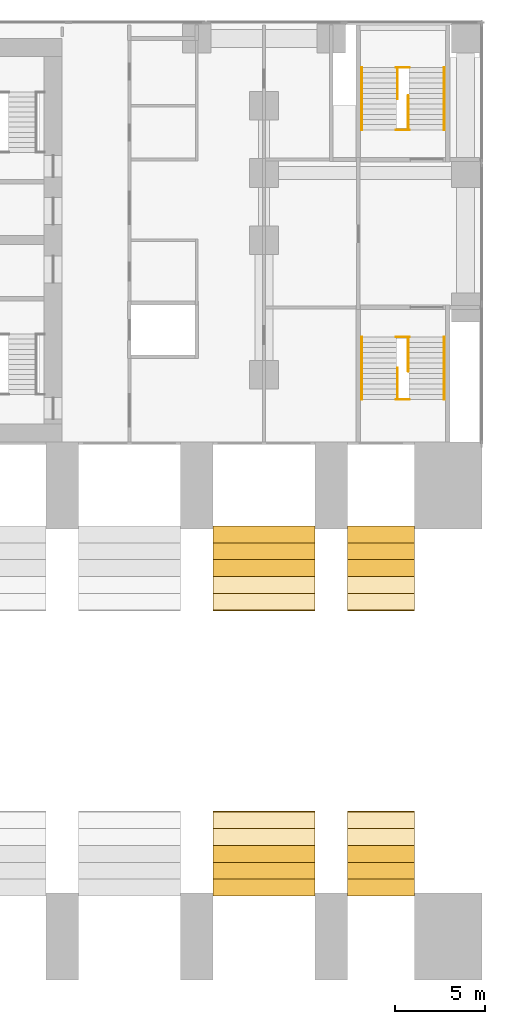
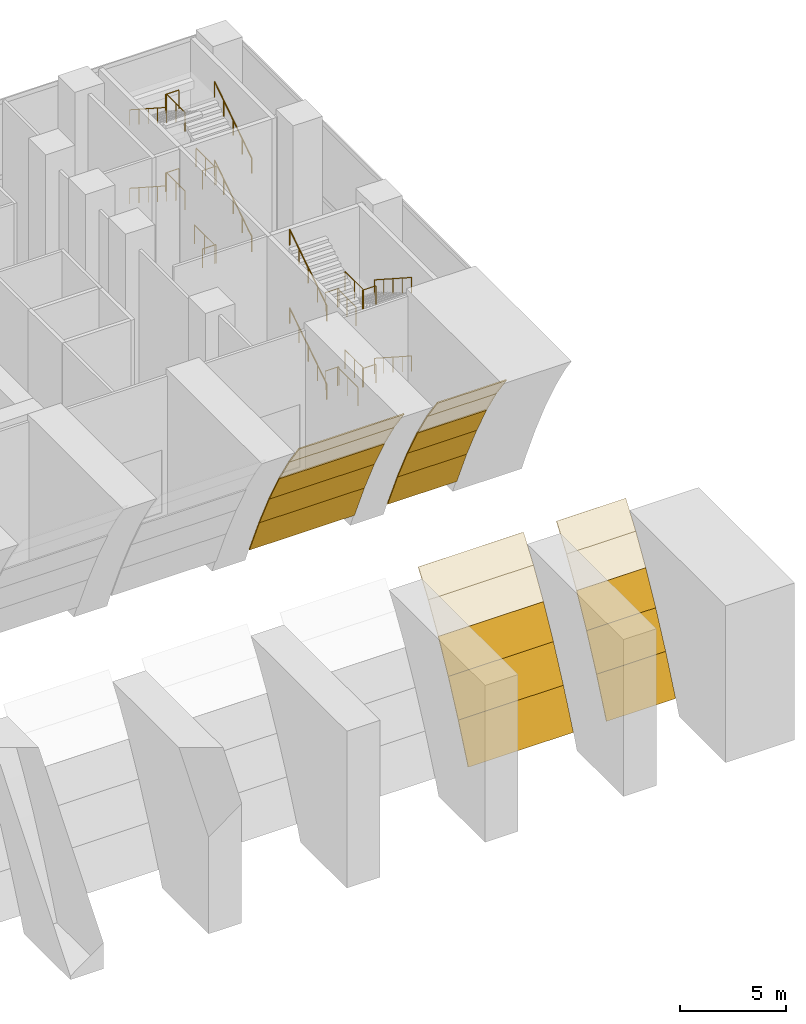
# One storey, part 14 of 14: 24 railings, 20 coverings.
"""IFC4 building model written with IfcOpenShell, lengths in metres."""

from ifc_helpers import new_model, si_unit, direction, frame, origin, origin_2d, place, context, subcontext, project, spatial, polyline, circle, outline, extrude, material, layer, layer_set, type_object, element, save


model = new_model("IFC4")

# Units and contexts
model_context = context("Model", 3, precision=1e-05, world=origin(), true_north=direction((0.0, 1.0)))
body_context = subcontext(model_context, "Body", "Model", "MODEL_VIEW")
ifc_project = project(units=[si_unit("LENGTHUNIT", "METRE"), si_unit("AREAUNIT", "SQUARE_METRE"), si_unit("VOLUMEUNIT", "CUBIC_METRE"), si_unit("PLANEANGLEUNIT", "RADIAN"), si_unit("MASSUNIT", "GRAM", prefix="KILO")], contexts=[model_context])

# Site, building, storey
site_placement = place(None, origin())
site = spatial("IfcSite", under=ifc_project, at=site_placement, CompositionType="ELEMENT")
building_placement = place(site_placement, origin())
building = spatial("IfcBuilding", under=site, at=building_placement, Name="Pilkhan Gate Tower", CompositionType="ELEMENT")
storey_placement = place(building_placement, frame((0.0, 0.0, 7.5)))
storey = spatial("IfcBuildingStorey", under=building, at=storey_placement, Name="L01", CompositionType="ELEMENT", Elevation=7.5)

# Coverings
ifc_material_1 = material(Name="Concrete C40/50 precast", Category="concrete")
ifc_layer = layer(ifc_material_1, 0.06005859375)
ifc_layer_set = layer_set([ifc_layer], Name="Arch soffit panel ARC")
covering_type = type_object("IfcCoveringType", Name="Arch soffit panel ARC", PredefinedType="CLADDING", material=ifc_layer_set)
covering_1_placement = place(storey_placement, frame((98.39990234375, 45.9375, 0.83984375), z_axis=(0.0, -0.915717290087, 0.401823150946), x_axis=(1.0, 0.0, 0.0)))
element("IfcCovering", 1, at=covering_1_placement, inside=storey, type_object=covering_type, Name="Arch soffit panel ARC-9.2", PredefinedType="CLADDING", context=body_context, shape_type="SweptSolid", body=[
    extrude(outline(polyline([(0.0, 0.0), (5.7001953125, 0.0), (5.7001953125, 2.333115943647906), (0.0, 2.333115943647906), (0.0, 0.0)])), origin(), (0.0, 0.0, -1.0), 0.06005859375),
])
covering_2_placement = place(storey_placement, frame((98.39990234375, 46.875, 2.976318359375), z_axis=(0.0, -0.899770845006, 0.436362723519), x_axis=(1.0, 0.0, 0.0)))
element("IfcCovering", 2, at=covering_2_placement, inside=storey, type_object=covering_type, Name="Arch soffit panel ARC-9.3", PredefinedType="CLADDING", context=body_context, shape_type="SweptSolid", body=[
    extrude(outline(polyline([(0.0, 0.0), (5.7001953125, 0.0), (5.7001953125, 2.1484419944022592), (0.0, 2.1484419944022592), (0.0, 0.0)])), origin(), (0.0, 0.0, -1.0), 0.06005859375),
])
covering_3_placement = place(storey_placement, frame((98.39990234375, 47.8125, 4.909423828125), z_axis=(0.0, -0.879144666887, 0.476554986003), x_axis=(1.0, 0.0, 0.0)))
element("IfcCovering", 3, at=covering_3_placement, inside=storey, type_object=covering_type, Name="Arch soffit panel ARC-9.4", PredefinedType="CLADDING", context=body_context, shape_type="SweptSolid", body=[
    extrude(outline(polyline([(0.0, 0.0), (5.7001953125, 0.0), (5.7001953125, 1.967244132440998), (0.0, 1.967244132440998), (0.0, 0.0)])), origin(), (0.0, 0.0, -1.0), 0.06005859375),
])
covering_4_placement = place(storey_placement, frame((98.39990234375, 48.75, 6.638916015625), z_axis=(0.0, -0.852069906961, 0.523428002357), x_axis=(1.0, 0.0, 0.0)))
element("IfcCovering", 4, at=covering_4_placement, inside=storey, type_object=covering_type, Name="Arch soffit panel ARC-9.5", PredefinedType="CLADDING", context=body_context, shape_type="SweptSolid", body=[
    extrude(outline(polyline([(0.0, 0.0), (5.7001953125, 0.0), (5.7001953125, 1.7910772747715364), (0.0, 1.7910772747715364), (0.0, 0.0)])), origin(), (0.0, 0.0, -1.0), 0.06005859375),
])
for number, where, z_axis, x_axis, name in (
    (5, (98.39990234375, 49.6875, 8.1650390625), (0.0, -0.81581427996, 0.578313980994), (1.0, 0.0, 0.0), "Arch soffit panel ARC-9.6"),
    (6, (98.39990234375, 61.875, 9.487548828125), (0.0, 0.81581427996, 0.578313980994), (1.0, 0.0, 0.0), "Arch soffit panel ARC-9.19"),
):
    element("IfcCovering", number, at=place(storey_placement, frame(where, z_axis=z_axis, x_axis=x_axis)), inside=storey, type_object=covering_type, Name=name, PredefinedType="CLADDING", context=body_context, shape_type="SweptSolid", body=[
        extrude(outline(polyline([(0.0, 0.0), (5.7001953125, 0.0), (5.7001953125, 1.6210917093654795), (0.0, 1.6210917093654795), (0.0, 0.0)])), origin(), (0.0, 0.0, -1.0), 0.06005859375),
    ])
covering_5_placement = place(storey_placement, frame((98.39990234375, 62.8125, 8.1650390625), z_axis=(0.0, 0.852069906961, 0.523428002357), x_axis=(1.0, 0.0, 0.0)))
element("IfcCovering", 7, at=covering_5_placement, inside=storey, type_object=covering_type, Name="Arch soffit panel ARC-9.20", PredefinedType="CLADDING", context=body_context, shape_type="SweptSolid", body=[
    extrude(outline(polyline([(0.0, 0.0), (5.7001953125, 0.0), (5.7001953125, 1.7910772747715364), (0.0, 1.7910772747715364), (0.0, 0.0)])), origin(), (0.0, 0.0, -1.0), 0.06005859375),
])
covering_6_placement = place(storey_placement, frame((98.39990234375, 63.75, 6.638916015625), z_axis=(0.0, 0.879144666887, 0.476554986003), x_axis=(1.0, 0.0, 0.0)))
element("IfcCovering", 8, at=covering_6_placement, inside=storey, type_object=covering_type, Name="Arch soffit panel ARC-9.21", PredefinedType="CLADDING", context=body_context, shape_type="SweptSolid", body=[
    extrude(outline(polyline([(0.0, 0.0), (5.7001953125, 0.0), (5.7001953125, 1.967244132440998), (0.0, 1.967244132440998), (0.0, 0.0)])), origin(), (0.0, 0.0, -1.0), 0.06005859375),
])
covering_7_placement = place(storey_placement, frame((98.39990234375, 64.6875, 4.909423828125), z_axis=(0.0, 0.899770845006, 0.436362723519), x_axis=(1.0, 0.0, 0.0)))
element("IfcCovering", 9, at=covering_7_placement, inside=storey, type_object=covering_type, Name="Arch soffit panel ARC-9.22", PredefinedType="CLADDING", context=body_context, shape_type="SweptSolid", body=[
    extrude(outline(polyline([(0.0, 0.0), (5.7001953125, 0.0), (5.7001953125, 2.1484419944022592), (0.0, 2.1484419944022592), (0.0, 0.0)])), origin(), (0.0, 0.0, -1.0), 0.06005859375),
])
covering_8_placement = place(storey_placement, frame((98.39990234375, 65.625, 2.976318359375), z_axis=(0.0, 0.915717290087, 0.401823150946), x_axis=(1.0, 0.0, 0.0)))
element("IfcCovering", 10, at=covering_8_placement, inside=storey, type_object=covering_type, Name="Arch soffit panel ARC-9.23", PredefinedType="CLADDING", context=body_context, shape_type="SweptSolid", body=[
    extrude(outline(polyline([(0.0, 0.0), (5.7001953125, 0.0), (5.7001953125, 2.333115943647906), (0.0, 2.333115943647906), (0.0, 0.0)])), origin(), (0.0, 0.0, -1.0), 0.06005859375),
])
covering_9_placement = place(storey_placement, frame((105.89990234375, 45.9375, 0.83984375), z_axis=(0.0, -0.915717290087, 0.401823150946), x_axis=(1.0, 0.0, 0.0)))
element("IfcCovering", 11, at=covering_9_placement, inside=storey, type_object=covering_type, Name="Arch soffit panel ARC-10.2", PredefinedType="CLADDING", context=body_context, shape_type="SweptSolid", body=[
    extrude(outline(polyline([(0.0, 0.0), (3.75, 0.0), (3.75, 2.333115943647906), (0.0, 2.333115943647906), (0.0, 0.0)])), origin(), (0.0, 0.0, -1.0), 0.06005859375),
])
covering_10_placement = place(storey_placement, frame((105.89990234375, 46.875, 2.976318359375), z_axis=(0.0, -0.899770845006, 0.436362723519), x_axis=(1.0, 0.0, 0.0)))
element("IfcCovering", 12, at=covering_10_placement, inside=storey, type_object=covering_type, Name="Arch soffit panel ARC-10.3", PredefinedType="CLADDING", context=body_context, shape_type="SweptSolid", body=[
    extrude(outline(polyline([(0.0, 0.0), (3.75, 0.0), (3.75, 2.1484419944022592), (0.0, 2.1484419944022592), (0.0, 0.0)])), origin(), (0.0, 0.0, -1.0), 0.06005859375),
])
covering_11_placement = place(storey_placement, frame((105.89990234375, 47.8125, 4.909423828125), z_axis=(0.0, -0.879144666887, 0.476554986003), x_axis=(1.0, 0.0, 0.0)))
element("IfcCovering", 13, at=covering_11_placement, inside=storey, type_object=covering_type, Name="Arch soffit panel ARC-10.4", PredefinedType="CLADDING", context=body_context, shape_type="SweptSolid", body=[
    extrude(outline(polyline([(0.0, 0.0), (3.75, 0.0), (3.75, 1.967244132440998), (0.0, 1.967244132440998), (0.0, 0.0)])), origin(), (0.0, 0.0, -1.0), 0.06005859375),
])
covering_12_placement = place(storey_placement, frame((105.89990234375, 48.75, 6.638916015625), z_axis=(0.0, -0.852069906961, 0.523428002357), x_axis=(1.0, 0.0, 0.0)))
element("IfcCovering", 14, at=covering_12_placement, inside=storey, type_object=covering_type, Name="Arch soffit panel ARC-10.5", PredefinedType="CLADDING", context=body_context, shape_type="SweptSolid", body=[
    extrude(outline(polyline([(0.0, 0.0), (3.75, 0.0), (3.75, 1.7910772747715364), (0.0, 1.7910772747715364), (0.0, 0.0)])), origin(), (0.0, 0.0, -1.0), 0.06005859375),
])
for number, where, z_axis, x_axis, name in (
    (15, (105.89990234375, 49.6875, 8.1650390625), (0.0, -0.81581427996, 0.578313980994), (1.0, 0.0, 0.0), "Arch soffit panel ARC-10.6"),
    (16, (105.89990234375, 61.875, 9.487548828125), (0.0, 0.81581427996, 0.578313980994), (1.0, 0.0, 0.0), "Arch soffit panel ARC-10.19"),
):
    element("IfcCovering", number, at=place(storey_placement, frame(where, z_axis=z_axis, x_axis=x_axis)), inside=storey, type_object=covering_type, Name=name, PredefinedType="CLADDING", context=body_context, shape_type="SweptSolid", body=[
        extrude(outline(polyline([(0.0, 0.0), (3.75, 0.0), (3.75, 1.6210917093654795), (0.0, 1.6210917093654795), (0.0, 0.0)])), origin(), (0.0, 0.0, -1.0), 0.06005859375),
    ])
covering_13_placement = place(storey_placement, frame((105.89990234375, 62.8125, 8.1650390625), z_axis=(0.0, 0.852069906961, 0.523428002357), x_axis=(1.0, 0.0, 0.0)))
element("IfcCovering", 17, at=covering_13_placement, inside=storey, type_object=covering_type, Name="Arch soffit panel ARC-10.20", PredefinedType="CLADDING", context=body_context, shape_type="SweptSolid", body=[
    extrude(outline(polyline([(0.0, 0.0), (3.75, 0.0), (3.75, 1.7910772747715364), (0.0, 1.7910772747715364), (0.0, 0.0)])), origin(), (0.0, 0.0, -1.0), 0.06005859375),
])
covering_14_placement = place(storey_placement, frame((105.89990234375, 63.75, 6.638916015625), z_axis=(0.0, 0.879144666887, 0.476554986003), x_axis=(1.0, 0.0, 0.0)))
element("IfcCovering", 18, at=covering_14_placement, inside=storey, type_object=covering_type, Name="Arch soffit panel ARC-10.21", PredefinedType="CLADDING", context=body_context, shape_type="SweptSolid", body=[
    extrude(outline(polyline([(0.0, 0.0), (3.75, 0.0), (3.75, 1.967244132440998), (0.0, 1.967244132440998), (0.0, 0.0)])), origin(), (0.0, 0.0, -1.0), 0.06005859375),
])
covering_15_placement = place(storey_placement, frame((105.89990234375, 64.6875, 4.909423828125), z_axis=(0.0, 0.899770845006, 0.436362723519), x_axis=(1.0, 0.0, 0.0)))
element("IfcCovering", 19, at=covering_15_placement, inside=storey, type_object=covering_type, Name="Arch soffit panel ARC-10.22", PredefinedType="CLADDING", context=body_context, shape_type="SweptSolid", body=[
    extrude(outline(polyline([(0.0, 0.0), (3.75, 0.0), (3.75, 2.1484419944022592), (0.0, 2.1484419944022592), (0.0, 0.0)])), origin(), (0.0, 0.0, -1.0), 0.06005859375),
])
covering_16_placement = place(storey_placement, frame((105.89990234375, 65.625, 2.976318359375), z_axis=(0.0, 0.915717290087, 0.401823150946), x_axis=(1.0, 0.0, 0.0)))
element("IfcCovering", 20, at=covering_16_placement, inside=storey, type_object=covering_type, Name="Arch soffit panel ARC-10.23", PredefinedType="CLADDING", context=body_context, shape_type="SweptSolid", body=[
    extrude(outline(polyline([(0.0, 0.0), (3.75, 0.0), (3.75, 2.333115943647906), (0.0, 2.333115943647906), (0.0, 0.0)])), origin(), (0.0, 0.0, -1.0), 0.06005859375),
])

# Railings
ifc_material_2 = material(Name="Black powder-coated steel tube", Category="steel")
railing_type_1 = type_object("IfcRailingType", Name="Stair handrail HR1", PredefinedType="HANDRAIL", material=ifc_material_2)
railing_1_placement = place(storey_placement, frame((111.300048828125, 88.64990234375, 0.0)))
element("IfcRailing", 21, at=railing_1_placement, inside=storey, type_object=railing_type_1, Name="Stair PS2 handrail L01", PredefinedType="HANDRAIL", context=body_context, shape_type="SweptSolid", body=[
    extrude(circle(Radius=0.02392578125, at=origin_2d()), frame((0.0, 0.0, 0.8759765625), z_axis=(0.0, 0.839762940478, 0.542953224319), x_axis=(-1.0, 0.0, 0.0)), (0.0, 0.0, 1.0), 4.14404296875),
    extrude(circle(Radius=0.02099609375, at=origin_2d()), origin(), (0.0, 0.0, 1.0), 0.851806640625),
    extrude(circle(Radius=0.02099609375, at=origin_2d()), frame((0.0, 0.8701171875, 0.5625)), (0.0, 0.0, 1.0), 0.851806640625),
    extrude(circle(Radius=0.02099609375, at=origin_2d()), frame((0.0, 1.739990234375, 1.125)), (0.0, 0.0, 1.0), 0.851806640625),
    extrude(circle(Radius=0.02099609375, at=origin_2d()), frame((0.0, 2.60986328125, 1.6875)), (0.0, 0.0, 1.0), 0.851806640625),
    extrude(circle(Radius=0.02099609375, at=origin_2d()), frame((0.0, 3.47998046875, 2.25)), (0.0, 0.0, 1.0), 0.851806640625),
])
railing_2_placement = place(storey_placement, frame((106.699951171875, 92.1298828125, 2.25)))
element("IfcRailing", 22, at=railing_2_placement, inside=storey, type_object=railing_type_1, Name="Stair PS2 handrail L01", PredefinedType="HANDRAIL", context=body_context, shape_type="SweptSolid", body=[
    extrude(circle(Radius=0.02392578125, at=origin_2d()), frame((0.0, 0.0, 0.8759765625), z_axis=(0.0, -0.839762940478, 0.542953224319), x_axis=(1.0, 0.0, 0.0)), (0.0, 0.0, 1.0), 4.14404296875),
    extrude(circle(Radius=0.02099609375, at=origin_2d()), origin(), (0.0, 0.0, 1.0), 0.851806640625),
    extrude(circle(Radius=0.02099609375, at=origin_2d()), frame((0.0, -0.8701171875, 0.5625)), (0.0, 0.0, 1.0), 0.851806640625),
    extrude(circle(Radius=0.02099609375, at=origin_2d()), frame((0.0, -1.739990234375, 1.125)), (0.0, 0.0, 1.0), 0.851806640625),
    extrude(circle(Radius=0.02099609375, at=origin_2d()), frame((0.0, -2.60986328125, 1.6875)), (0.0, 0.0, 1.0), 0.851806640625),
    extrude(circle(Radius=0.02099609375, at=origin_2d()), frame((0.0, -3.47998046875, 2.25)), (0.0, 0.0, 1.0), 0.851806640625),
])
railing_3_placement = place(storey_placement, frame((111.300048828125, 88.64990234375, 4.5)))
element("IfcRailing", 23, at=railing_3_placement, inside=storey, type_object=railing_type_1, Name="Stair PS2 handrail L01", PredefinedType="HANDRAIL", context=body_context, shape_type="SweptSolid", body=[
    extrude(circle(Radius=0.02392578125, at=origin_2d()), frame((0.0, 0.0, 0.8759765625), z_axis=(0.0, 0.839762940478, 0.542953224319), x_axis=(-1.0, 0.0, 0.0)), (0.0, 0.0, 1.0), 4.14404296875),
    extrude(circle(Radius=0.02099609375, at=origin_2d()), origin(), (0.0, 0.0, 1.0), 0.851806640625),
    extrude(circle(Radius=0.02099609375, at=origin_2d()), frame((0.0, 0.8701171875, 0.5625)), (0.0, 0.0, 1.0), 0.851806640625),
    extrude(circle(Radius=0.02099609375, at=origin_2d()), frame((0.0, 1.739990234375, 1.125)), (0.0, 0.0, 1.0), 0.851806640625),
    extrude(circle(Radius=0.02099609375, at=origin_2d()), frame((0.0, 2.60986328125, 1.6875)), (0.0, 0.0, 1.0), 0.851806640625),
    extrude(circle(Radius=0.02099609375, at=origin_2d()), frame((0.0, 3.47998046875, 2.25)), (0.0, 0.0, 1.0), 0.851806640625),
])
for number, where, name in (
    (24, (106.699951171875, 92.1298828125, 6.75), "Stair PS2 handrail L01"),
    (25, (111.300048828125, 77.10009765625, 0.0), "Stair PS4 handrail L01"),
):
    element("IfcRailing", number, at=place(storey_placement, frame(where)), inside=storey, type_object=railing_type_1, Name=name, PredefinedType="HANDRAIL", context=body_context, shape_type="SweptSolid", body=[
        extrude(circle(Radius=0.02392578125, at=origin_2d()), frame((0.0, 0.0, 0.8759765625), z_axis=(0.0, -0.839762940478, 0.542953224319), x_axis=(1.0, 0.0, 0.0)), (0.0, 0.0, 1.0), 4.14404296875),
        extrude(circle(Radius=0.02099609375, at=origin_2d()), origin(), (0.0, 0.0, 1.0), 0.851806640625),
        extrude(circle(Radius=0.02099609375, at=origin_2d()), frame((0.0, -0.8701171875, 0.5625)), (0.0, 0.0, 1.0), 0.851806640625),
        extrude(circle(Radius=0.02099609375, at=origin_2d()), frame((0.0, -1.739990234375, 1.125)), (0.0, 0.0, 1.0), 0.851806640625),
        extrude(circle(Radius=0.02099609375, at=origin_2d()), frame((0.0, -2.60986328125, 1.6875)), (0.0, 0.0, 1.0), 0.851806640625),
        extrude(circle(Radius=0.02099609375, at=origin_2d()), frame((0.0, -3.47998046875, 2.25)), (0.0, 0.0, 1.0), 0.851806640625),
    ])
railing_4_placement = place(storey_placement, frame((106.699951171875, 73.6201171875, 2.25)))
element("IfcRailing", 26, at=railing_4_placement, inside=storey, type_object=railing_type_1, Name="Stair PS4 handrail L01", PredefinedType="HANDRAIL", context=body_context, shape_type="SweptSolid", body=[
    extrude(circle(Radius=0.02392578125, at=origin_2d()), frame((0.0, 0.0, 0.8759765625), z_axis=(0.0, 0.839762940478, 0.542953224319), x_axis=(-1.0, 0.0, 0.0)), (0.0, 0.0, 1.0), 4.14404296875),
    extrude(circle(Radius=0.02099609375, at=origin_2d()), origin(), (0.0, 0.0, 1.0), 0.851806640625),
    extrude(circle(Radius=0.02099609375, at=origin_2d()), frame((0.0, 0.8701171875, 0.5625)), (0.0, 0.0, 1.0), 0.851806640625),
    extrude(circle(Radius=0.02099609375, at=origin_2d()), frame((0.0, 1.739990234375, 1.125)), (0.0, 0.0, 1.0), 0.851806640625),
    extrude(circle(Radius=0.02099609375, at=origin_2d()), frame((0.0, 2.60986328125, 1.6875)), (0.0, 0.0, 1.0), 0.851806640625),
    extrude(circle(Radius=0.02099609375, at=origin_2d()), frame((0.0, 3.47998046875, 2.25)), (0.0, 0.0, 1.0), 0.851806640625),
])
railing_5_placement = place(storey_placement, frame((111.300048828125, 77.10009765625, 4.5)))
element("IfcRailing", 27, at=railing_5_placement, inside=storey, type_object=railing_type_1, Name="Stair PS4 handrail L01", PredefinedType="HANDRAIL", context=body_context, shape_type="SweptSolid", body=[
    extrude(circle(Radius=0.02392578125, at=origin_2d()), frame((0.0, 0.0, 0.8759765625), z_axis=(0.0, -0.839762940478, 0.542953224319), x_axis=(1.0, 0.0, 0.0)), (0.0, 0.0, 1.0), 4.14404296875),
    extrude(circle(Radius=0.02099609375, at=origin_2d()), origin(), (0.0, 0.0, 1.0), 0.851806640625),
    extrude(circle(Radius=0.02099609375, at=origin_2d()), frame((0.0, -0.8701171875, 0.5625)), (0.0, 0.0, 1.0), 0.851806640625),
    extrude(circle(Radius=0.02099609375, at=origin_2d()), frame((0.0, -1.739990234375, 1.125)), (0.0, 0.0, 1.0), 0.851806640625),
    extrude(circle(Radius=0.02099609375, at=origin_2d()), frame((0.0, -2.60986328125, 1.6875)), (0.0, 0.0, 1.0), 0.851806640625),
    extrude(circle(Radius=0.02099609375, at=origin_2d()), frame((0.0, -3.47998046875, 2.25)), (0.0, 0.0, 1.0), 0.851806640625),
])
railing_6_placement = place(storey_placement, frame((106.699951171875, 73.6201171875, 6.75)))
element("IfcRailing", 28, at=railing_6_placement, inside=storey, type_object=railing_type_1, Name="Stair PS4 handrail L01", PredefinedType="HANDRAIL", context=body_context, shape_type="SweptSolid", body=[
    extrude(circle(Radius=0.02392578125, at=origin_2d()), frame((0.0, 0.0, 0.8759765625), z_axis=(0.0, 0.839762940478, 0.542953224319), x_axis=(-1.0, 0.0, 0.0)), (0.0, 0.0, 1.0), 4.14404296875),
    extrude(circle(Radius=0.02099609375, at=origin_2d()), origin(), (0.0, 0.0, 1.0), 0.851806640625),
    extrude(circle(Radius=0.02099609375, at=origin_2d()), frame((0.0, 0.8701171875, 0.5625)), (0.0, 0.0, 1.0), 0.851806640625),
    extrude(circle(Radius=0.02099609375, at=origin_2d()), frame((0.0, 1.739990234375, 1.125)), (0.0, 0.0, 1.0), 0.851806640625),
    extrude(circle(Radius=0.02099609375, at=origin_2d()), frame((0.0, 2.60986328125, 1.6875)), (0.0, 0.0, 1.0), 0.851806640625),
    extrude(circle(Radius=0.02099609375, at=origin_2d()), frame((0.0, 3.47998046875, 2.25)), (0.0, 0.0, 1.0), 0.851806640625),
])
ifc_material_3 = material(Name="Black powder-coated steel balusters", Category="steel")
railing_type_2 = type_object("IfcRailingType", Name="Stair well guard G3", PredefinedType="GUARDRAIL", material=ifc_material_3)
railing_7_placement = place(storey_placement, frame((109.3701171875, 88.64990234375, 0.0)))
element("IfcRailing", 29, at=railing_7_placement, inside=storey, type_object=railing_type_2, Name="Stair PS2 well guard L01", PredefinedType="GUARDRAIL", context=body_context, shape_type="SweptSolid", body=[
    extrude(circle(Radius=0.02392578125, at=origin_2d()), frame((0.0, 0.0, 1.076171875), z_axis=(-1.0, 0.0, 0.0), x_axis=(0.0, -1.0, 0.0)), (0.0, 0.0, 1.0), 0.740234375),
    extrude(circle(Radius=0.02099609375, at=origin_2d()), origin(), (0.0, 0.0, 1.0), 1.052001953125),
    extrude(circle(Radius=0.02099609375, at=origin_2d()), frame((-0.740234375, 0.0, 0.0)), (0.0, 0.0, 1.0), 1.052001953125),
])
railing_8_placement = place(storey_placement, frame((109.300048828125, 88.64990234375, 0.0)))
element("IfcRailing", 30, at=railing_8_placement, inside=storey, type_object=railing_type_2, Name="Stair PS2 well guard L01", PredefinedType="GUARDRAIL", context=body_context, shape_type="SweptSolid", body=[
    extrude(circle(Radius=0.02392578125, at=origin_2d()), frame((0.0, 0.0, 1.076171875), z_axis=(0.0, 1.0, 0.0), x_axis=(-1.0, 0.0, 0.0)), (0.0, 0.0, 1.0), 1.900146484375),
    extrude(circle(Radius=0.02099609375, at=origin_2d()), origin(), (0.0, 0.0, 1.0), 1.052001953125),
    extrude(circle(Radius=0.02099609375, at=origin_2d()), frame((0.0, 0.9501953125, 0.0)), (0.0, 0.0, 1.0), 1.052001953125),
    extrude(circle(Radius=0.02099609375, at=origin_2d()), frame((0.0, 1.900146484375, 0.0)), (0.0, 0.0, 1.0), 1.052001953125),
])
railing_9_placement = place(storey_placement, frame((109.3701171875, 92.1298828125, 2.25)))
element("IfcRailing", 31, at=railing_9_placement, inside=storey, type_object=railing_type_2, Name="Stair PS2 well guard L01", PredefinedType="GUARDRAIL", context=body_context, shape_type="SweptSolid", body=[
    extrude(circle(Radius=0.02392578125, at=origin_2d()), frame((0.0, 0.0, 1.076171875), z_axis=(-1.0, 0.0, 0.0), x_axis=(0.0, -1.0, 0.0)), (0.0, 0.0, 1.0), 0.740234375),
    extrude(circle(Radius=0.02099609375, at=origin_2d()), origin(), (0.0, 0.0, 1.0), 1.052001953125),
    extrude(circle(Radius=0.02099609375, at=origin_2d()), frame((-0.740234375, 0.0, 0.0)), (0.0, 0.0, 1.0), 1.052001953125),
])
railing_10_placement = place(storey_placement, frame((108.699951171875, 90.389892578125, 2.25)))
element("IfcRailing", 32, at=railing_10_placement, inside=storey, type_object=railing_type_2, Name="Stair PS2 well guard L01", PredefinedType="GUARDRAIL", context=body_context, shape_type="SweptSolid", body=[
    extrude(circle(Radius=0.02392578125, at=origin_2d()), frame((0.0, 0.0, 1.076171875), z_axis=(0.0, 1.0, 0.0), x_axis=(-1.0, 0.0, 0.0)), (0.0, 0.0, 1.0), 1.739990234375),
    extrude(circle(Radius=0.02099609375, at=origin_2d()), origin(), (0.0, 0.0, 1.0), 1.052001953125),
    extrude(circle(Radius=0.02099609375, at=origin_2d()), frame((0.0, 0.8701171875, 0.0)), (0.0, 0.0, 1.0), 1.052001953125),
    extrude(circle(Radius=0.02099609375, at=origin_2d()), frame((0.0, 1.739990234375, 0.0)), (0.0, 0.0, 1.0), 1.052001953125),
])
railing_11_placement = place(storey_placement, frame((109.3701171875, 88.64990234375, 4.5)))
element("IfcRailing", 33, at=railing_11_placement, inside=storey, type_object=railing_type_2, Name="Stair PS2 well guard L01", PredefinedType="GUARDRAIL", context=body_context, shape_type="SweptSolid", body=[
    extrude(circle(Radius=0.02392578125, at=origin_2d()), frame((0.0, 0.0, 1.076171875), z_axis=(-1.0, 0.0, 0.0), x_axis=(0.0, -1.0, 0.0)), (0.0, 0.0, 1.0), 0.740234375),
    extrude(circle(Radius=0.02099609375, at=origin_2d()), origin(), (0.0, 0.0, 1.0), 1.052001953125),
    extrude(circle(Radius=0.02099609375, at=origin_2d()), frame((-0.740234375, 0.0, 0.0)), (0.0, 0.0, 1.0), 1.052001953125),
])
railing_12_placement = place(storey_placement, frame((109.300048828125, 88.64990234375, 4.5)))
element("IfcRailing", 34, at=railing_12_placement, inside=storey, type_object=railing_type_2, Name="Stair PS2 well guard L01", PredefinedType="GUARDRAIL", context=body_context, shape_type="SweptSolid", body=[
    extrude(circle(Radius=0.02392578125, at=origin_2d()), frame((0.0, 0.0, 1.076171875), z_axis=(0.0, 1.0, 0.0), x_axis=(-1.0, 0.0, 0.0)), (0.0, 0.0, 1.0), 1.739990234375),
    extrude(circle(Radius=0.02099609375, at=origin_2d()), origin(), (0.0, 0.0, 1.0), 1.052001953125),
    extrude(circle(Radius=0.02099609375, at=origin_2d()), frame((0.0, 0.8701171875, 0.0)), (0.0, 0.0, 1.0), 1.052001953125),
    extrude(circle(Radius=0.02099609375, at=origin_2d()), frame((0.0, 1.739990234375, 0.0)), (0.0, 0.0, 1.0), 1.052001953125),
])
railing_13_placement = place(storey_placement, frame((109.3701171875, 92.1298828125, 6.75)))
element("IfcRailing", 35, at=railing_13_placement, inside=storey, type_object=railing_type_2, Name="Stair PS2 well guard L01", PredefinedType="GUARDRAIL", context=body_context, shape_type="SweptSolid", body=[
    extrude(circle(Radius=0.02392578125, at=origin_2d()), frame((0.0, 0.0, 1.076171875), z_axis=(-1.0, 0.0, 0.0), x_axis=(0.0, -1.0, 0.0)), (0.0, 0.0, 1.0), 0.740234375),
    extrude(circle(Radius=0.02099609375, at=origin_2d()), origin(), (0.0, 0.0, 1.0), 1.052001953125),
    extrude(circle(Radius=0.02099609375, at=origin_2d()), frame((-0.740234375, 0.0, 0.0)), (0.0, 0.0, 1.0), 1.052001953125),
])
railing_14_placement = place(storey_placement, frame((108.699951171875, 90.389892578125, 6.75)))
element("IfcRailing", 36, at=railing_14_placement, inside=storey, type_object=railing_type_2, Name="Stair PS2 well guard L01", PredefinedType="GUARDRAIL", context=body_context, shape_type="SweptSolid", body=[
    extrude(circle(Radius=0.02392578125, at=origin_2d()), frame((0.0, 0.0, 1.076171875), z_axis=(0.0, 1.0, 0.0), x_axis=(-1.0, 0.0, 0.0)), (0.0, 0.0, 1.0), 1.739990234375),
    extrude(circle(Radius=0.02099609375, at=origin_2d()), origin(), (0.0, 0.0, 1.0), 1.052001953125),
    extrude(circle(Radius=0.02099609375, at=origin_2d()), frame((0.0, 0.8701171875, 0.0)), (0.0, 0.0, 1.0), 1.052001953125),
    extrude(circle(Radius=0.02099609375, at=origin_2d()), frame((0.0, 1.739990234375, 0.0)), (0.0, 0.0, 1.0), 1.052001953125),
])
railing_15_placement = place(storey_placement, frame((109.3701171875, 77.10009765625, 0.0)))
element("IfcRailing", 37, at=railing_15_placement, inside=storey, type_object=railing_type_2, Name="Stair PS4 well guard L01", PredefinedType="GUARDRAIL", context=body_context, shape_type="SweptSolid", body=[
    extrude(circle(Radius=0.02392578125, at=origin_2d()), frame((0.0, 0.0, 1.076171875), z_axis=(-1.0, 0.0, 0.0), x_axis=(0.0, -1.0, 0.0)), (0.0, 0.0, 1.0), 0.740234375),
    extrude(circle(Radius=0.02099609375, at=origin_2d()), origin(), (0.0, 0.0, 1.0), 1.052001953125),
    extrude(circle(Radius=0.02099609375, at=origin_2d()), frame((-0.740234375, 0.0, 0.0)), (0.0, 0.0, 1.0), 1.052001953125),
])
railing_16_placement = place(storey_placement, frame((109.300048828125, 77.10009765625, 0.0)))
element("IfcRailing", 38, at=railing_16_placement, inside=storey, type_object=railing_type_2, Name="Stair PS4 well guard L01", PredefinedType="GUARDRAIL", context=body_context, shape_type="SweptSolid", body=[
    extrude(circle(Radius=0.02392578125, at=origin_2d()), frame((0.0, 0.0, 1.076171875), z_axis=(0.0, -1.0, 0.0), x_axis=(1.0, 0.0, 0.0)), (0.0, 0.0, 1.0), 1.900146484375),
    extrude(circle(Radius=0.02099609375, at=origin_2d()), origin(), (0.0, 0.0, 1.0), 1.052001953125),
    extrude(circle(Radius=0.02099609375, at=origin_2d()), frame((0.0, -0.9501953125, 0.0)), (0.0, 0.0, 1.0), 1.052001953125),
    extrude(circle(Radius=0.02099609375, at=origin_2d()), frame((0.0, -1.900146484375, 0.0)), (0.0, 0.0, 1.0), 1.052001953125),
])
railing_17_placement = place(storey_placement, frame((109.3701171875, 73.6201171875, 2.25)))
element("IfcRailing", 39, at=railing_17_placement, inside=storey, type_object=railing_type_2, Name="Stair PS4 well guard L01", PredefinedType="GUARDRAIL", context=body_context, shape_type="SweptSolid", body=[
    extrude(circle(Radius=0.02392578125, at=origin_2d()), frame((0.0, 0.0, 1.076171875), z_axis=(-1.0, 0.0, 0.0), x_axis=(0.0, -1.0, 0.0)), (0.0, 0.0, 1.0), 0.740234375),
    extrude(circle(Radius=0.02099609375, at=origin_2d()), origin(), (0.0, 0.0, 1.0), 1.052001953125),
    extrude(circle(Radius=0.02099609375, at=origin_2d()), frame((-0.740234375, 0.0, 0.0)), (0.0, 0.0, 1.0), 1.052001953125),
])
railing_18_placement = place(storey_placement, frame((108.699951171875, 75.360107421875, 2.25)))
element("IfcRailing", 40, at=railing_18_placement, inside=storey, type_object=railing_type_2, Name="Stair PS4 well guard L01", PredefinedType="GUARDRAIL", context=body_context, shape_type="SweptSolid", body=[
    extrude(circle(Radius=0.02392578125, at=origin_2d()), frame((0.0, 0.0, 1.076171875), z_axis=(0.0, -1.0, 0.0), x_axis=(1.0, 0.0, 0.0)), (0.0, 0.0, 1.0), 1.739990234375),
    extrude(circle(Radius=0.02099609375, at=origin_2d()), origin(), (0.0, 0.0, 1.0), 1.052001953125),
    extrude(circle(Radius=0.02099609375, at=origin_2d()), frame((0.0, -0.8701171875, 0.0)), (0.0, 0.0, 1.0), 1.052001953125),
    extrude(circle(Radius=0.02099609375, at=origin_2d()), frame((0.0, -1.739990234375, 0.0)), (0.0, 0.0, 1.0), 1.052001953125),
])
railing_19_placement = place(storey_placement, frame((109.3701171875, 77.10009765625, 4.5)))
element("IfcRailing", 41, at=railing_19_placement, inside=storey, type_object=railing_type_2, Name="Stair PS4 well guard L01", PredefinedType="GUARDRAIL", context=body_context, shape_type="SweptSolid", body=[
    extrude(circle(Radius=0.02392578125, at=origin_2d()), frame((0.0, 0.0, 1.076171875), z_axis=(-1.0, 0.0, 0.0), x_axis=(0.0, -1.0, 0.0)), (0.0, 0.0, 1.0), 0.740234375),
    extrude(circle(Radius=0.02099609375, at=origin_2d()), origin(), (0.0, 0.0, 1.0), 1.052001953125),
    extrude(circle(Radius=0.02099609375, at=origin_2d()), frame((-0.740234375, 0.0, 0.0)), (0.0, 0.0, 1.0), 1.052001953125),
])
railing_20_placement = place(storey_placement, frame((109.300048828125, 77.10009765625, 4.5)))
element("IfcRailing", 42, at=railing_20_placement, inside=storey, type_object=railing_type_2, Name="Stair PS4 well guard L01", PredefinedType="GUARDRAIL", context=body_context, shape_type="SweptSolid", body=[
    extrude(circle(Radius=0.02392578125, at=origin_2d()), frame((0.0, 0.0, 1.076171875), z_axis=(0.0, -1.0, 0.0), x_axis=(1.0, 0.0, 0.0)), (0.0, 0.0, 1.0), 1.739990234375),
    extrude(circle(Radius=0.02099609375, at=origin_2d()), origin(), (0.0, 0.0, 1.0), 1.052001953125),
    extrude(circle(Radius=0.02099609375, at=origin_2d()), frame((0.0, -0.8701171875, 0.0)), (0.0, 0.0, 1.0), 1.052001953125),
    extrude(circle(Radius=0.02099609375, at=origin_2d()), frame((0.0, -1.739990234375, 0.0)), (0.0, 0.0, 1.0), 1.052001953125),
])
railing_21_placement = place(storey_placement, frame((109.3701171875, 73.6201171875, 6.75)))
element("IfcRailing", 43, at=railing_21_placement, inside=storey, type_object=railing_type_2, Name="Stair PS4 well guard L01", PredefinedType="GUARDRAIL", context=body_context, shape_type="SweptSolid", body=[
    extrude(circle(Radius=0.02392578125, at=origin_2d()), frame((0.0, 0.0, 1.076171875), z_axis=(-1.0, 0.0, 0.0), x_axis=(0.0, -1.0, 0.0)), (0.0, 0.0, 1.0), 0.740234375),
    extrude(circle(Radius=0.02099609375, at=origin_2d()), origin(), (0.0, 0.0, 1.0), 1.052001953125),
    extrude(circle(Radius=0.02099609375, at=origin_2d()), frame((-0.740234375, 0.0, 0.0)), (0.0, 0.0, 1.0), 1.052001953125),
])
railing_22_placement = place(storey_placement, frame((108.699951171875, 75.360107421875, 6.75)))
element("IfcRailing", 44, at=railing_22_placement, inside=storey, type_object=railing_type_2, Name="Stair PS4 well guard L01", PredefinedType="GUARDRAIL", context=body_context, shape_type="SweptSolid", body=[
    extrude(circle(Radius=0.02392578125, at=origin_2d()), frame((0.0, 0.0, 1.076171875), z_axis=(0.0, -1.0, 0.0), x_axis=(1.0, 0.0, 0.0)), (0.0, 0.0, 1.0), 1.739990234375),
    extrude(circle(Radius=0.02099609375, at=origin_2d()), origin(), (0.0, 0.0, 1.0), 1.052001953125),
    extrude(circle(Radius=0.02099609375, at=origin_2d()), frame((0.0, -0.8701171875, 0.0)), (0.0, 0.0, 1.0), 1.052001953125),
    extrude(circle(Radius=0.02099609375, at=origin_2d()), frame((0.0, -1.739990234375, 0.0)), (0.0, 0.0, 1.0), 1.052001953125),
])

save(model, "model.ifc")
